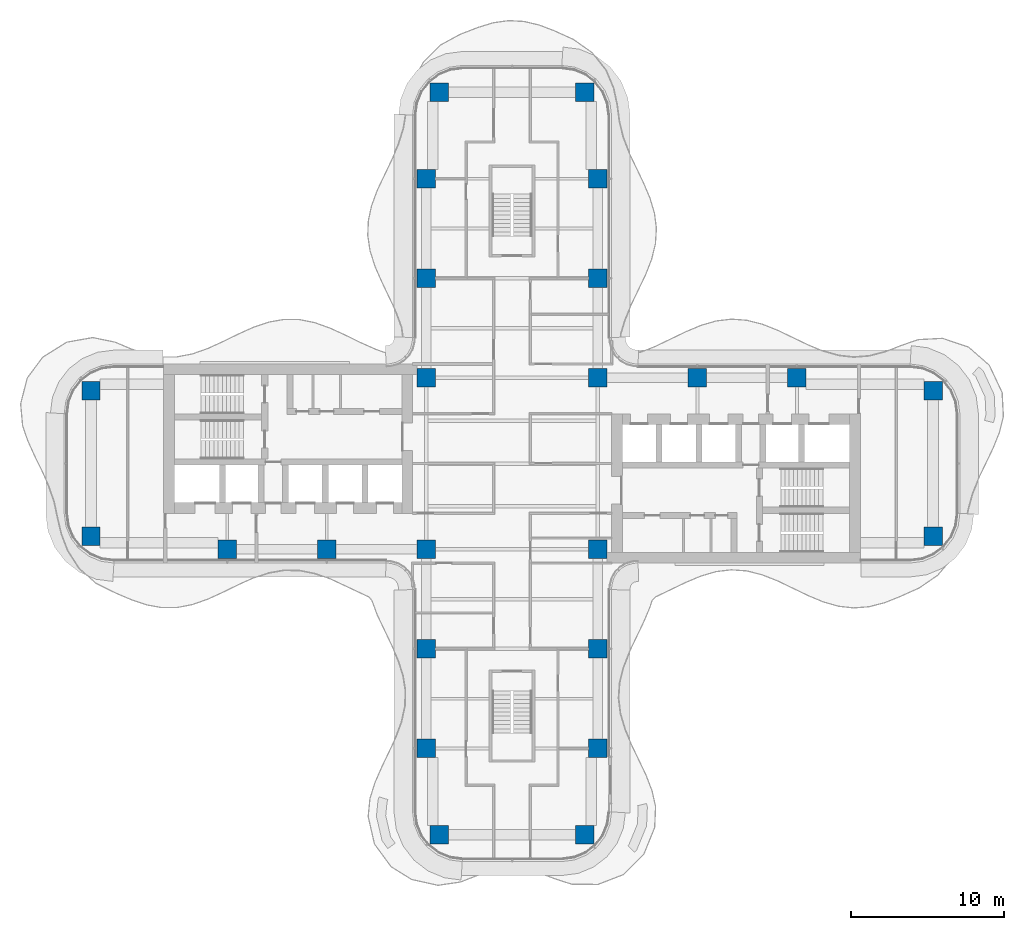
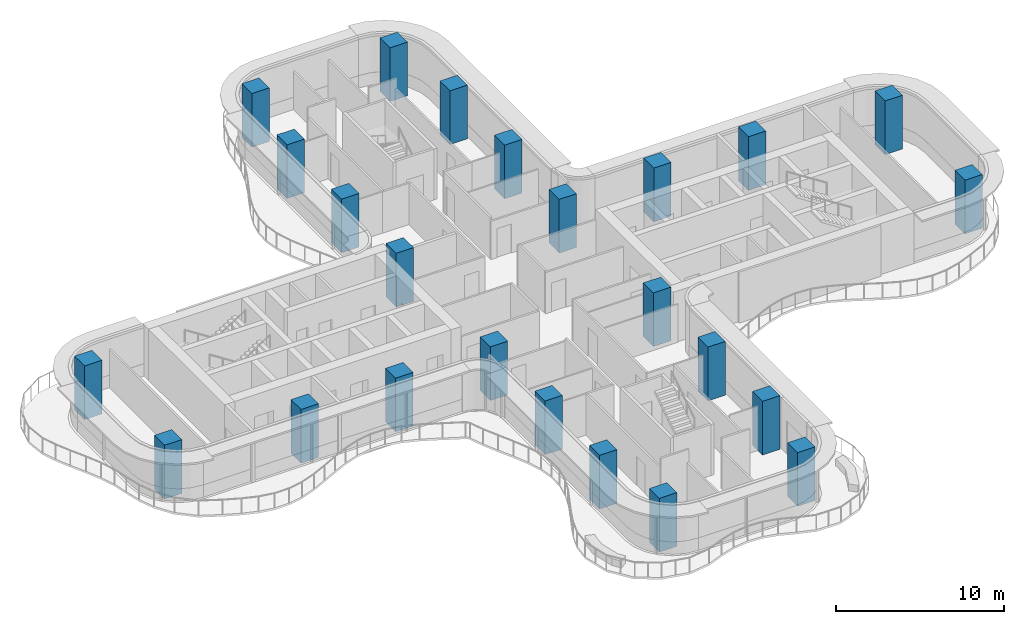
# One storey, part 1 of 18: 24 columns.
"""IFC4 building model written with IfcOpenShell, lengths in metres."""

from ifc_helpers import new_model, si_unit, direction, frame, origin, origin_2d, place, context, subcontext, project, spatial, rectangle, extrude, source, transform, mapped, material, material_profile, profile_set, type_object, element, save


model = new_model("IFC4")

# Units and contexts
model_context = context("Model", 3, precision=1e-05, world=origin(), true_north=direction((0.0, 1.0)))
body_context = subcontext(model_context, "Body", "Model", "MODEL_VIEW")
ifc_project = project(units=[si_unit("LENGTHUNIT", "METRE"), si_unit("AREAUNIT", "SQUARE_METRE"), si_unit("VOLUMEUNIT", "CUBIC_METRE"), si_unit("PLANEANGLEUNIT", "RADIAN"), si_unit("MASSUNIT", "GRAM", prefix="KILO")], contexts=[model_context])

# Site, building, storey
site_placement = place(None, origin())
site = spatial("IfcSite", under=ifc_project, at=site_placement, CompositionType="ELEMENT")
building_placement = place(site_placement, origin())
building = spatial("IfcBuilding", under=site, at=building_placement, Name="Trellis Farm Tower", CompositionType="ELEMENT")
storey_placement = place(building_placement, frame((0.0, 0.0, 177.60009765625)))
storey = spatial("IfcBuildingStorey", under=building, at=storey_placement, Name="L38", CompositionType="ELEMENT", Elevation=177.60009765625)

# Columns
ifc_material = material(Name="Concrete C70/85", Category="concrete")
ifc_material_profile = material_profile(ifc_material, rectangle(XDim=1.199951171875, YDim=1.199951171875, at=origin_2d()), Name="RC column 1200x1200 C70/85")
ifc_profile_set = profile_set([ifc_material_profile], Name="Concrete C70/85")
column_type = type_object("IfcColumnType", Name="RC column 1200x1200 C70/85", PredefinedType="COLUMN", material=ifc_profile_set)
shared_shape = source(origin(), body_context, "Body", "SweptSolid", [
    extrude(rectangle(XDim=1.199951171875, YDim=1.199951171875, at=origin_2d()), origin(), (0.0, 0.0, 1.0), 3.89990234375),
])
for number, where, z_axis, x_axis, name in (
    (1, (12.10009765625, 5.60009765625, 0.0), (0.0, 0.0, 1.0), (1.0, 0.0, 0.0), "Column"),
    (2, (18.60009765625, 5.60009765625, 0.0), (0.0, 0.0, 1.0), (1.0, 0.0, 0.0), "Column"),
    (3, (27.5, 4.75, 0.0), (0.0, 0.0, 1.0), (1.0, 0.0, 0.0), "Column"),
    (4, (27.5, -4.75, 0.0), (0.0, 0.0, 1.0), (1.0, 0.0, 0.0), "Column"),
    (5, (-5.60009765625, 12.10009765625, 0.0), (0.0, 0.0, 1.0), (1.0, 0.0, 0.0), "Column"),
    (6, (-5.60009765625, 18.60009765625, 0.0), (0.0, 0.0, 1.0), (1.0, 0.0, 0.0), "Column"),
    (7, (-4.75, 24.25, 0.0), (0.0, 0.0, 1.0), (1.0, 0.0, 0.0), "Column"),
    (8, (5.60009765625, 12.10009765625, 0.0), (0.0, 0.0, 1.0), (1.0, 0.0, 0.0), "Column"),
    (9, (5.60009765625, 18.60009765625, 0.0), (0.0, 0.0, 1.0), (1.0, 0.0, 0.0), "Column"),
    (10, (4.75, 24.25, 0.0), (0.0, 0.0, 1.0), (1.0, 0.0, 0.0), "Column"),
    (11, (5.60009765625, 5.60009765625, 0.0), (0.0, 0.0, 1.0), (1.0, 0.0, 0.0), "Column"),
    (12, (-5.60009765625, 5.60009765625, 0.0), (0.0, 0.0, 1.0), (1.0, 0.0, 0.0), "Column"),
    (13, (5.60009765625, -5.60009765625, 0.0), (0.0, 0.0, 1.0), (1.0, 0.0, 0.0), "Column"),
    (14, (-5.60009765625, -5.60009765625, 0.0), (0.0, 0.0, 1.0), (1.0, 0.0, 0.0), "Column"),
    (15, (5.60009765625, -12.10009765625, 0.0), (0.0, 0.0, 1.0), (1.0, 0.0, 0.0), "Column"),
    (16, (5.60009765625, -18.60009765625, 0.0), (0.0, 0.0, 1.0), (1.0, 0.0, 0.0), "Column"),
    (17, (4.75, -24.25, 0.0), (0.0, 0.0, 1.0), (1.0, 0.0, 0.0), "Column"),
    (18, (-5.60009765625, -12.10009765625, 0.0), (0.0, 0.0, 1.0), (1.0, 0.0, 0.0), "Column"),
    (19, (-5.60009765625, -18.60009765625, 0.0), (0.0, 0.0, 1.0), (1.0, 0.0, 0.0), "Column"),
    (20, (-4.75, -24.25, 0.0), (0.0, 0.0, 1.0), (1.0, 0.0, 0.0), "Column"),
    (21, (-12.10009765625, -5.60009765625, 0.0), (0.0, 0.0, 1.0), (1.0, 0.0, 0.0), "Column"),
    (22, (-18.60009765625, -5.60009765625, 0.0), (0.0, 0.0, 1.0), (1.0, 0.0, 0.0), "Column"),
    (23, (-27.5, -4.75, 0.0), (0.0, 0.0, 1.0), (1.0, 0.0, 0.0), "Column"),
    (24, (-27.5, 4.75, 0.0), (0.0, 0.0, 1.0), (1.0, 0.0, 0.0), "Column"),
):
    element("IfcColumn", number, at=place(storey_placement, frame(where, z_axis=z_axis, x_axis=x_axis)), inside=storey, type_object=column_type, Name=name, PredefinedType="COLUMN", context=body_context, shape_type="MappedRepresentation", body=[
        mapped(shared_shape, transform((0.0, 0.0, 0.0))),
    ])

save(model, "model.ifc")
